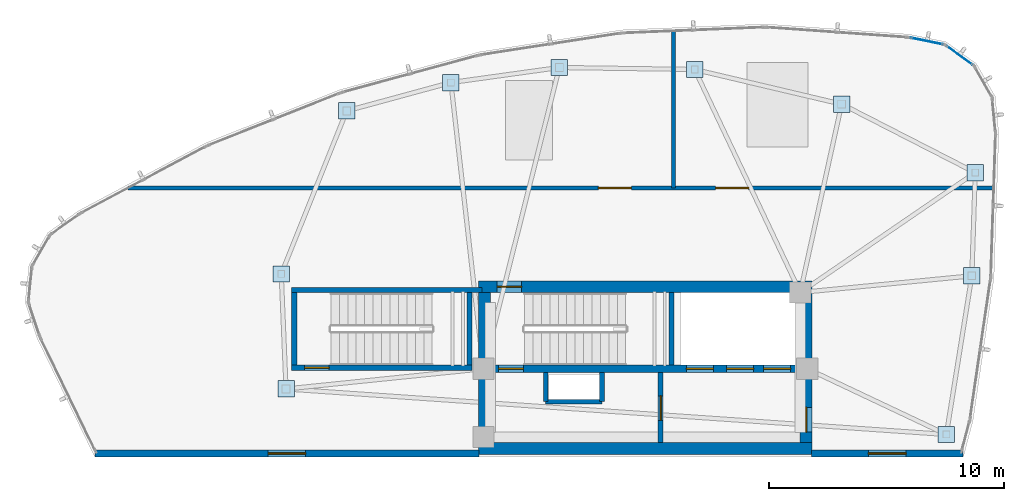
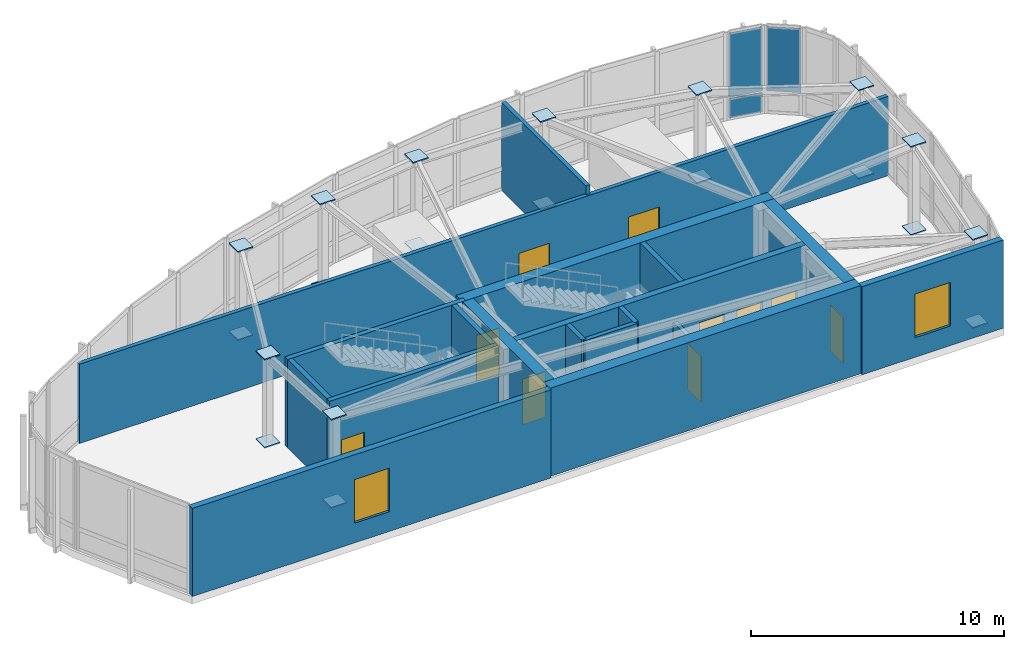
# One storey, part 6 of 10: 23 plates, 18 walls, 10 doors, 2 windows, 12 openings, 2 elements without a shape of their own.
"""IFC4 building model written with IfcOpenShell, lengths in metres."""

from ifc_helpers import new_model, si_unit, direction, frame, frame_2d, origin, origin_2d, place, context, subcontext, project, spatial, rectangle, extrude, source, transform, mapped, material, layer, layer_set, type_object, type_shapes, element, fill, aggregate, save


model = new_model("IFC4")

# Units and contexts
model_context = context("Model", 3, precision=1e-05, world=origin(), true_north=direction((0.0, 1.0)))
body_context = subcontext(model_context, "Body", "Model", "MODEL_VIEW")
ifc_project = project(units=[si_unit("LENGTHUNIT", "METRE"), si_unit("AREAUNIT", "SQUARE_METRE"), si_unit("VOLUMEUNIT", "CUBIC_METRE"), si_unit("PLANEANGLEUNIT", "RADIAN"), si_unit("MASSUNIT", "GRAM", prefix="KILO")], contexts=[model_context])

# Site, building, storey
site_placement = place(None, origin())
site = spatial("IfcSite", under=ifc_project, at=site_placement, CompositionType="ELEMENT")
building_placement = place(site_placement, origin())
building = spatial("IfcBuilding", under=site, at=building_placement, Name="Tavelor Broadcast Tower", CompositionType="ELEMENT")
storey_placement = place(building_placement, frame((0.0, 0.0, 355.10009765625)))
storey = spatial("IfcBuildingStorey", under=building, at=storey_placement, Name="L84", CompositionType="ELEMENT", Elevation=355.10009765625)

# Plates
ifc_material_1 = material(Name="Steel S460", Category="steel")
ifc_layer_1 = layer(ifc_material_1, 0.050048828125)
ifc_layer_set_1 = layer_set([ifc_layer_1], Name="Steel S460")
plate_type_1 = type_object("IfcPlateType", Name="Tube Hollow-End Cap Plate KN05 700x700x50", PredefinedType="USERDEFINED", material=ifc_layer_set_1)
shared_shape_1 = source(origin(), body_context, "Body", "SweptSolid", [
    extrude(rectangle(XDim=0.699951171875, YDim=0.699951171875, at=origin_2d()), origin(), (0.0, 0.0, 1.0), 0.054931640625),
])
type_shapes(plate_type_1, [shared_shape_1])
for number, where, z_axis, x_axis, name in (
    (1, (37.27294921875, 58.9375, -0.02734375), (0.0, 0.0, 1.0), (1.0, 0.0, 0.0), "L84 Hollow End Cap Plate KN05 #2543"),
    (2, (37.27294921875, 58.9375, 4.22265625), (0.0, 0.0, 1.0), (1.0, 0.0, 0.0), "L84 Hollow End Cap Plate KN05 #2544"),
    (3, (34.4853515625, 51.989013671875, -0.02734375), (0.0, 0.0, 1.0), (1.0, 0.0, 0.0), "L84 Hollow End Cap Plate KN05 #2545"),
    (4, (34.4853515625, 51.989013671875, 4.22265625), (0.0, 0.0, 1.0), (1.0, 0.0, 0.0), "L84 Hollow End Cap Plate KN05 #2546"),
    (5, (34.690673828125, 47.090087890625, -0.02734375), (0.0, 0.0, 1.0), (1.0, 0.0, 0.0), "L84 Hollow End Cap Plate KN05 #2547"),
    (6, (34.690673828125, 47.090087890625, 4.22265625), (0.0, 0.0, 1.0), (1.0, 0.0, 0.0), "L84 Hollow End Cap Plate KN05 #2548"),
    (7, (62.826416015625, 45.14990234375, -0.02734375), (0.0, 0.0, 1.0), (1.0, 0.0, 0.0), "L84 Hollow End Cap Plate KN05 #2549"),
    (8, (62.826416015625, 45.14990234375, 4.22265625), (0.0, 0.0, 1.0), (1.0, 0.0, 0.0), "L84 Hollow End Cap Plate KN05 #2550"),
    (9, (63.910888671875, 51.91064453125, -0.02734375), (0.0, 0.0, 1.0), (1.0, 0.0, 0.0), "L84 Hollow End Cap Plate KN05 #2551"),
    (10, (63.910888671875, 51.91064453125, 4.22265625), (0.0, 0.0, 1.0), (1.0, 0.0, 0.0), "L84 Hollow End Cap Plate KN05 #2552"),
    (11, (64.058349609375, 56.30859375, -0.02734375), (0.0, 0.0, 1.0), (1.0, 0.0, 0.0), "L84 Hollow End Cap Plate KN05 #2553"),
    (12, (64.058349609375, 56.30859375, 4.22265625), (0.0, 0.0, 1.0), (1.0, 0.0, 0.0), "L84 Hollow End Cap Plate KN05 #2554"),
    (13, (58.364013671875, 59.226318359375, -0.02734375), (0.0, 0.0, 1.0), (1.0, 0.0, 0.0), "L84 Hollow End Cap Plate KN05 #2555"),
    (14, (58.364013671875, 59.226318359375, 4.22265625), (0.0, 0.0, 1.0), (1.0, 0.0, 0.0), "L84 Hollow End Cap Plate KN05 #2556"),
    (15, (52.10400390625, 60.701416015625, -0.02734375), (0.0, 0.0, 1.0), (1.0, 0.0, 0.0), "L84 Hollow End Cap Plate KN05 #2557"),
    (16, (52.10400390625, 60.701416015625, 4.22265625), (0.0, 0.0, 1.0), (1.0, 0.0, 0.0), "L84 Hollow End Cap Plate KN05 #2558"),
    (17, (46.337158203125, 60.786865234375, -0.02734375), (0.0, 0.0, 1.0), (1.0, 0.0, 0.0), "L84 Hollow End Cap Plate KN05 #2559"),
    (18, (46.337158203125, 60.786865234375, 4.22265625), (0.0, 0.0, 1.0), (1.0, 0.0, 0.0), "L84 Hollow End Cap Plate KN05 #2560"),
    (19, (41.715087890625, 60.145751953125, -0.02734375), (0.0, 0.0, 1.0), (1.0, 0.0, 0.0), "L84 Hollow End Cap Plate KN05 #2561"),
    (20, (41.715087890625, 60.145751953125, 4.22265625), (0.0, 0.0, 1.0), (1.0, 0.0, 0.0), "L84 Hollow End Cap Plate KN05 #2562"),
):
    element("IfcPlate", number, at=place(storey_placement, frame(where, z_axis=z_axis, x_axis=x_axis)), inside=storey, type_object=plate_type_1, Name=name, ObjectType="CAP PLATE", PredefinedType="USERDEFINED", context=body_context, shape_type="MappedRepresentation", body=[
        mapped(shared_shape_1, transform((0.0, 0.0, 0.0), scale=1.0)),
    ])

# Curtain wall, plates
ifc_material_2 = material(Name="Architectural Anodized Aluminium", Category="aluminium")
ifc_layer_2 = layer(ifc_material_2, 0.2099609375)
ifc_layer_set_2 = layer_set([ifc_layer_2], Name="Architectural Anodized Aluminium")
curtain_wall_type = type_object("IfcCurtainWallType", Name="Split-Crown Beacon Curtain Wall CW06", PredefinedType="NOTDEFINED", material=ifc_layer_set_2)
curtain_wall_1_placement = place(storey_placement, origin())
curtain_wall_1 = element("IfcCurtainWall", 21, at=curtain_wall_1_placement, inside=storey, type_object=curtain_wall_type, Name="L84 Curtain Wall CW06 Run 995", PredefinedType="NOTDEFINED")
ifc_material_3 = material(Name="Dichroic Solar Laminated Glazing 34 mm", Category="glass")
ifc_layer_3 = layer(ifc_material_3, 0.033935546875)
ifc_layer_set_3 = layer_set([ifc_layer_3], Name="Dichroic Solar Laminated Glazing 34 mm")
plate_type_2 = type_object("IfcPlateType", Name="CW06 Insulated Vision Glazing Panel 34 mm", PredefinedType="CURTAIN_PANEL", material=ifc_layer_set_3)
shared_shape_2 = source(origin(), body_context, "Body", "SweptSolid", [
    extrude(rectangle(XDim=1.38720703125, YDim=0.033935546875, at=origin_2d()), origin(), (0.0, 0.0, 1.0), 0.94189453125),
])
plate_1_placement = place(storey_placement, frame((61.99365234375, 61.91162109375, 0.072021484375), z_axis=(0.0, 0.0, 1.0), x_axis=(-0.979758332463, 0.200183940339, 0.0)))
plate_1 = element("IfcPlate", 22, at=plate_1_placement, type_object=plate_type_2, Name="CW06 panel 1.1", PredefinedType="CURTAIN_PANEL", context=body_context, shape_type="MappedRepresentation", body=[
    mapped(shared_shape_2, transform((0.0, 0.0, 0.0), scale=1.0)),
])
shared_shape_3 = source(origin(), body_context, "Body", "SweptSolid", [
    extrude(rectangle(XDim=1.38720703125, YDim=0.033935546875, at=origin_2d()), origin(), (0.0, 0.0, 1.0), 3.092041015625),
])
plate_2_placement = place(storey_placement, frame((61.99365234375, 61.91162109375, 1.0859375), z_axis=(0.0, 0.0, 1.0), x_axis=(-0.979758332463, 0.200183940339, 0.0)))
plate_2 = element("IfcPlate", 23, at=plate_2_placement, type_object=plate_type_2, Name="CW06 panel 1.2", PredefinedType="CURTAIN_PANEL", context=body_context, shape_type="MappedRepresentation", body=[
    mapped(shared_shape_3, transform((0.0, 0.0, 0.0), scale=1.0)),
])
aggregate(curtain_wall_1, [plate_1, plate_2])

# Curtain wall, plate
curtain_wall_2_placement = place(storey_placement, origin())
curtain_wall_2 = element("IfcCurtainWall", 24, at=curtain_wall_2_placement, inside=storey, type_object=curtain_wall_type, Name="L84 Curtain Wall CW06 Run 994", PredefinedType="NOTDEFINED")
shared_shape_4 = source(origin(), body_context, "Body", "SweptSolid", [
    extrude(rectangle(XDim=1.3662109375, YDim=0.033935546875, at=origin_2d()), origin(), (0.0, 0.0, 1.0), 3.092041015625),
])
type_shapes(plate_type_2, [shared_shape_2, shared_shape_3, shared_shape_4])
plate_3_placement = place(storey_placement, frame((63.382568359375, 61.30419921875, 1.0859375), z_axis=(0.0, 0.0, 1.0), x_axis=(-0.810544761221, 0.585676694138, 0.0)))
plate_3 = element("IfcPlate", 25, at=plate_3_placement, type_object=plate_type_2, Name="CW06 panel 1.2", PredefinedType="CURTAIN_PANEL", context=body_context, shape_type="MappedRepresentation", body=[
    mapped(shared_shape_4, transform((0.0, 0.0, 0.0), scale=1.0)),
])
aggregate(curtain_wall_2, [plate_3])

# Wall, opening, door
ifc_material_4 = material(Name="Concrete C50/60", Category="concrete")
ifc_layer_4 = layer(ifc_material_4, 0.5)
ifc_layer_set_4 = layer_set([ifc_layer_4], Name="Concrete C50/60")
wall_type_1 = type_object("IfcWallType", Name="Core Shear Wall 500 mm", PredefinedType="SHEAR", material=ifc_layer_set_4)
wall_1_placement = place(storey_placement, frame((42.89990234375, 51.449951171875, 0.0), z_axis=(0.0, 0.0, 1.0), x_axis=(1.0, 0.0, 0.0)))
wall_1 = element("IfcWall", 26, at=wall_1_placement, inside=storey, type_object=wall_type_1, Name="L84 Central Core Shear Wall N", PredefinedType="SHEAR", context=body_context, shape_type="SweptSolid", body=[
    extrude(rectangle(XDim=14.2001953125, YDim=0.5, at=frame_2d((7.10009765625, 0.0))), origin(), (0.0, 0.0, 1.0), 4.25),
])
opening_1_placement = place(wall_1_placement, frame((0.780029296875, 0.0, 0.0)))
opening_1 = element("IfcOpeningElement", 27, at=opening_1_placement, cuts=wall_1, Name="Opening DR11", PredefinedType="OPENING", context=body_context, shape_type="SweptSolid", body=[
    extrude(rectangle(XDim=1.050048828125, YDim=2.199951171875, at=frame_2d((0.52490234375, 1.10009765625))), frame((0.0, 0.260009765625, 0.0), z_axis=(0.0, -1.0, 0.0), x_axis=(1.0, 0.0, 0.0)), (0.0, 0.0, 1.0), 0.52001953125),
])
ifc_material_5 = material(Name="Steel S355", Category="steel")
door_type_1 = type_object("IfcDoorType", Name="Stair Core Fire Escape Door 1050x2200", OperationType="NOTDEFINED", PredefinedType="DOOR", material=ifc_material_5)
door_1_placement = place(opening_1_placement, origin())
door_1 = element("IfcDoor", 28, at=door_1_placement, inside=storey, type_object=door_type_1, Name="L84 Stair ST1 Protected Exit Door", OperationType="SINGLE_SWING_LEFT", OverallHeight=2.199951171875, OverallWidth=1.050048828125, PredefinedType="DOOR", context=body_context, shape_type="SweptSolid", body=[
    extrude(rectangle(XDim=1.050048828125, YDim=2.199951171875, at=frame_2d((0.52490234375, 1.10009765625))), frame((0.0, 0.02490234375, 0.0), z_axis=(0.0, -1.0, 0.0), x_axis=(1.0, 0.0, 0.0)), (0.0, 0.0, 1.0), 0.050048828125),
])
fill(opening_1, door_1)

# Walls
wall_2_placement = place(storey_placement, frame((42.89990234375, 44.550048828125, 0.0), z_axis=(0.0, 0.0, 1.0), x_axis=(1.0, 0.0, 0.0)))
element("IfcWall", 29, at=wall_2_placement, inside=storey, type_object=wall_type_1, Name="L84 Central Core Shear Wall S", PredefinedType="SHEAR", context=body_context, shape_type="SweptSolid", body=[
    extrude(rectangle(XDim=14.2001953125, YDim=0.5, at=frame_2d((7.10009765625, 0.0))), origin(), (0.0, 0.0, 1.0), 4.25),
])
wall_3_placement = place(storey_placement, frame((43.14990234375, 44.800048828125, 0.0), z_axis=(0.0, 0.0, 1.0), x_axis=(0.0, 1.0, 0.0)))
element("IfcWall", 30, at=wall_3_placement, inside=storey, type_object=wall_type_1, Name="L84 Central Core Shear Wall W", PredefinedType="SHEAR", context=body_context, shape_type="SweptSolid", body=[
    extrude(rectangle(XDim=6.39990234375, YDim=0.5, at=frame_2d((3.199951171875, 0.0))), origin(), (0.0, 0.0, 1.0), 4.25),
])

# Wall, opening, door
wall_4_placement = place(storey_placement, frame((56.85009765625, 44.800048828125, 0.0), z_axis=(0.0, 0.0, 1.0), x_axis=(0.0, 1.0, 0.0)))
wall_4 = element("IfcWall", 31, at=wall_4_placement, inside=storey, type_object=wall_type_1, Name="L84 Central Core Shear Wall E", PredefinedType="SHEAR", context=body_context, shape_type="SweptSolid", body=[
    extrude(rectangle(XDim=6.39990234375, YDim=0.5, at=frame_2d((3.199951171875, 0.0))), origin(), (0.0, 0.0, 1.0), 4.25),
])
opening_2_placement = place(wall_4_placement, frame((0.449951171875, 0.0, 0.0)))
opening_2 = element("IfcOpeningElement", 32, at=opening_2_placement, cuts=wall_4, Name="Opening DR11", PredefinedType="OPENING", context=body_context, shape_type="SweptSolid", body=[
    extrude(rectangle(XDim=1.050048828125, YDim=2.199951171875, at=frame_2d((0.52490234375, 1.10009765625))), frame((0.0, 0.260009765625, 0.0), z_axis=(0.0, -1.0, 0.0), x_axis=(1.0, 0.0, 0.0)), (0.0, 0.0, 1.0), 0.52001953125),
])
door_2_placement = place(opening_2_placement, origin())
door_2 = element("IfcDoor", 33, at=door_2_placement, inside=storey, type_object=door_type_1, Name="L84 Crown Core East Lobby Door", OperationType="SINGLE_SWING_LEFT", OverallHeight=2.199951171875, OverallWidth=1.050048828125, PredefinedType="DOOR", context=body_context, shape_type="SweptSolid", body=[
    extrude(rectangle(XDim=1.050048828125, YDim=2.199951171875, at=frame_2d((0.52490234375, 1.10009765625))), frame((0.0, 0.02490234375, 0.0), z_axis=(0.0, -1.0, 0.0), x_axis=(1.0, 0.0, 0.0)), (0.0, 0.0, 1.0), 0.050048828125),
])
fill(opening_2, door_2)

# Wall, openings, doors
ifc_layer_5 = layer(ifc_material_4, 0.300048828125)
ifc_layer_set_5 = layer_set([ifc_layer_5], Name="Concrete C50/60")
wall_type_2 = type_object("IfcWallType", Name="Core Spine Shear Wall 300 mm C50", PredefinedType="SHEAR", material=ifc_layer_set_5)
wall_5_placement = place(storey_placement, frame((43.39990234375, 47.949951171875, 0.0), z_axis=(0.0, 0.0, 1.0), x_axis=(1.0, 0.0, 0.0)))
wall_5 = element("IfcWall", 34, at=wall_5_placement, inside=storey, type_object=wall_type_2, Name="L84 Central Core Shear Wall SP1", PredefinedType="SHEAR", context=body_context, shape_type="SweptSolid", body=[
    extrude(rectangle(XDim=13.2001953125, YDim=0.300048828125, at=frame_2d((6.60009765625, 0.0))), origin(), (0.0, 0.0, 1.0), 4.25),
])
opening_3_placement = place(wall_5_placement, frame((0.35009765625, 0.0, 0.0)))
opening_3 = element("IfcOpeningElement", 35, at=opening_3_placement, cuts=wall_5, Name="Opening DR11", PredefinedType="OPENING", context=body_context, shape_type="SweptSolid", body=[
    extrude(rectangle(XDim=1.050048828125, YDim=2.199951171875, at=frame_2d((0.52490234375, 1.10009765625))), frame((0.0, 0.16015625, 0.0), z_axis=(0.0, -1.0, 0.0), x_axis=(1.0, 0.0, 0.0)), (0.0, 0.0, 1.0), 0.320068359375),
])
opening_4_placement = place(wall_5_placement, frame((8.344970703125, 0.0, 0.0)))
opening_4 = element("IfcOpeningElement", 36, at=opening_4_placement, cuts=wall_5, Name="Opening LD02", PredefinedType="OPENING", context=body_context, shape_type="SweptSolid", body=[
    extrude(rectangle(XDim=1.14990234375, YDim=2.199951171875, at=frame_2d((0.574951171875, 1.10009765625))), frame((0.0, 0.16015625, 0.0), z_axis=(0.0, -1.0, 0.0), x_axis=(1.0, 0.0, 0.0)), (0.0, 0.0, 1.0), 0.320068359375),
])
opening_5_placement = place(wall_5_placement, frame((10.06494140625, 0.0, 0.0)))
opening_5 = element("IfcOpeningElement", 37, at=opening_5_placement, cuts=wall_5, Name="Opening LD02", PredefinedType="OPENING", context=body_context, shape_type="SweptSolid", body=[
    extrude(rectangle(XDim=1.14990234375, YDim=2.199951171875, at=frame_2d((0.574951171875, 1.10009765625))), frame((0.0, 0.16015625, 0.0), z_axis=(0.0, -1.0, 0.0), x_axis=(1.0, 0.0, 0.0)), (0.0, 0.0, 1.0), 0.320068359375),
])
opening_6_placement = place(wall_5_placement, frame((11.64501953125, 0.0, 0.0)))
opening_6 = element("IfcOpeningElement", 38, at=opening_6_placement, cuts=wall_5, Name="Opening LD03", PredefinedType="OPENING", context=body_context, shape_type="SweptSolid", body=[
    extrude(rectangle(XDim=1.14990234375, YDim=2.199951171875, at=frame_2d((0.574951171875, 1.10009765625))), frame((0.0, 0.16015625, 0.0), z_axis=(0.0, -1.0, 0.0), x_axis=(1.0, 0.0, 0.0)), (0.0, 0.0, 1.0), 0.320068359375),
])
ifc_material_6 = material(Name="Reinforced Brushed Stainless Steel", Category="concrete")
door_type_2 = type_object("IfcDoorType", Name="Broadcast Goods Lift Sliding Landing Door 1250x2200", OperationType="NOTDEFINED", PredefinedType="DOOR", material=ifc_material_6)
door_3_placement = place(opening_6_placement, origin())
door_3 = element("IfcDoor", 39, at=door_3_placement, inside=storey, type_object=door_type_2, Name="L84 Lift SVL1 Sliding Landing Door", OperationType="SLIDING_TO_LEFT", OverallHeight=2.199951171875, OverallWidth=1.14990234375, PredefinedType="DOOR", context=body_context, shape_type="SweptSolid", body=[
    extrude(rectangle(XDim=1.14990234375, YDim=2.199951171875, at=frame_2d((0.574951171875, 1.10009765625))), frame((0.0, 0.02490234375, 0.0), z_axis=(0.0, -1.0, 0.0), x_axis=(1.0, 0.0, 0.0)), (0.0, 0.0, 1.0), 0.050048828125),
])
fill(opening_6, door_3)
ifc_material_7 = material(Name="Fire-Rated Stainless Steel", Category="steel")
door_type_3 = type_object("IfcDoorType", Name="Firefighting Lift Sliding Landing Door 1200x2200", OperationType="NOTDEFINED", PredefinedType="DOOR", material=ifc_material_7)
door_4_placement = place(opening_4_placement, origin())
door_4 = element("IfcDoor", 40, at=door_4_placement, inside=storey, type_object=door_type_3, Name="L84 Lift FFL1 Sliding Landing Door", OperationType="SLIDING_TO_LEFT", OverallHeight=2.199951171875, OverallWidth=1.14990234375, PredefinedType="DOOR", context=body_context, shape_type="SweptSolid", body=[
    extrude(rectangle(XDim=1.14990234375, YDim=2.199951171875, at=frame_2d((0.574951171875, 1.10009765625))), frame((0.0, 0.02490234375, 0.0), z_axis=(0.0, -1.0, 0.0), x_axis=(1.0, 0.0, 0.0)), (0.0, 0.0, 1.0), 0.050048828125),
])
fill(opening_4, door_4)
door_5_placement = place(opening_5_placement, origin())
door_5 = element("IfcDoor", 41, at=door_5_placement, inside=storey, type_object=door_type_3, Name="L84 Lift FFL2 Sliding Landing Door", OperationType="SLIDING_TO_LEFT", OverallHeight=2.199951171875, OverallWidth=1.14990234375, PredefinedType="DOOR", context=body_context, shape_type="SweptSolid", body=[
    extrude(rectangle(XDim=1.14990234375, YDim=2.199951171875, at=frame_2d((0.574951171875, 1.10009765625))), frame((0.0, 0.02490234375, 0.0), z_axis=(0.0, -1.0, 0.0), x_axis=(1.0, 0.0, 0.0)), (0.0, 0.0, 1.0), 0.050048828125),
])
fill(opening_5, door_5)
door_6_placement = place(opening_3_placement, origin())
door_6 = element("IfcDoor", 42, at=door_6_placement, inside=storey, type_object=door_type_1, Name="L84 Crown Core Stair ST1 Door", OperationType="SINGLE_SWING_LEFT", OverallHeight=2.199951171875, OverallWidth=1.050048828125, PredefinedType="DOOR", context=body_context, shape_type="SweptSolid", body=[
    extrude(rectangle(XDim=1.050048828125, YDim=2.199951171875, at=frame_2d((0.52490234375, 1.10009765625))), frame((0.0, 0.02490234375, 0.0), z_axis=(0.0, -1.0, 0.0), x_axis=(1.0, 0.0, 0.0)), (0.0, 0.0, 1.0), 0.050048828125),
])
fill(opening_3, door_6)

# Wall
ifc_material_8 = material(Name="Calcium Silicate Fire Board 180 mm", Category="gypsum")
ifc_layer_6 = layer(ifc_material_8, 0.179931640625)
ifc_layer_set_6 = layer_set([ifc_layer_6], Name="Calcium Silicate Fire Board 180 mm")
wall_type_3 = type_object("IfcWallType", Name="Fire-Rated Corridor Partition Wall 180 mm", PredefinedType="PARTITIONING", material=ifc_layer_set_6)
wall_6_placement = place(storey_placement, frame((51.199951171875, 55.64990234375, 0.0), z_axis=(0.0, 0.0, 1.0), x_axis=(0.0, 1.0, 0.0)))
element("IfcWall", 43, at=wall_6_placement, inside=storey, type_object=wall_type_3, Name="L84 Crown Peak A Plant Divider", PredefinedType="PARTITIONING", context=body_context, shape_type="SweptSolid", body=[
    extrude(rectangle(XDim=6.693115234375, YDim=0.179931640625, at=frame_2d((3.3466796875, 0.0))), origin(), (0.0, 0.0, 1.0), 4.25),
])

# Wall, openings, doors
wall_7_placement = place(storey_placement, frame((27.95263671875, 55.64990234375, 0.0), z_axis=(0.0, 0.0, 1.0), x_axis=(1.0, 0.0, 0.0)))
wall_7 = element("IfcWall", 44, at=wall_7_placement, inside=storey, type_object=wall_type_3, Name="L84 Peak A Plant Corridor Wall", PredefinedType="PARTITIONING", context=body_context, shape_type="SweptSolid", body=[
    extrude(rectangle(XDim=36.89404296875, YDim=0.179931640625, at=frame_2d((18.447021484375, 0.0))), origin(), (0.0, 0.0, 1.0), 3.824951171875),
])
opening_7_placement = place(wall_7_placement, frame((20.04736328125, 0.0, 0.0)))
opening_7 = element("IfcOpeningElement", 45, at=opening_7_placement, cuts=wall_7, Name="Opening DR41", PredefinedType="OPENING", context=body_context, shape_type="SweptSolid", body=[
    extrude(rectangle(XDim=1.39990234375, YDim=2.14990234375, at=frame_2d((0.699951171875, 1.074951171875))), frame((0.0, 0.10009765625, 0.0), z_axis=(0.0, -1.0, 0.0), x_axis=(1.0, 0.0, 0.0)), (0.0, 0.0, 1.0), 0.199951171875),
])
opening_8_placement = place(wall_7_placement, frame((25.04736328125, 0.0, 0.0)))
opening_8 = element("IfcOpeningElement", 46, at=opening_8_placement, cuts=wall_7, Name="Opening DR41", PredefinedType="OPENING", context=body_context, shape_type="SweptSolid", body=[
    extrude(rectangle(XDim=1.39990234375, YDim=2.14990234375, at=frame_2d((0.699951171875, 1.074951171875))), frame((0.0, 0.10009765625, 0.0), z_axis=(0.0, -1.0, 0.0), x_axis=(1.0, 0.0, 0.0)), (0.0, 0.0, 1.0), 0.199951171875),
])
door_type_4 = type_object("IfcDoorType", Name="Plant Room Double Fire Door 1400x2150", OperationType="NOTDEFINED", PredefinedType="DOOR", material=ifc_material_5)
door_7_placement = place(opening_7_placement, origin())
door_7 = element("IfcDoor", 47, at=door_7_placement, inside=storey, type_object=door_type_4, Name="L84 Broadcast Chiller Plant Door", OperationType="SINGLE_SWING_LEFT", OverallHeight=2.14990234375, OverallWidth=1.39990234375, PredefinedType="DOOR", context=body_context, shape_type="SweptSolid", body=[
    extrude(rectangle(XDim=1.39990234375, YDim=2.14990234375, at=frame_2d((0.699951171875, 1.074951171875))), frame((0.0, 0.02490234375, 0.0), z_axis=(0.0, -1.0, 0.0), x_axis=(1.0, 0.0, 0.0)), (0.0, 0.0, 1.0), 0.050048828125),
])
fill(opening_7, door_7)
door_8_placement = place(opening_8_placement, origin())
door_8 = element("IfcDoor", 48, at=door_8_placement, inside=storey, type_object=door_type_4, Name="L84 Emergency Switchgear and AHU Plant Door", OperationType="SINGLE_SWING_RIGHT", OverallHeight=2.14990234375, OverallWidth=1.39990234375, PredefinedType="DOOR", context=body_context, shape_type="SweptSolid", body=[
    extrude(rectangle(XDim=1.39990234375, YDim=2.14990234375, at=frame_2d((0.699951171875, 1.074951171875))), frame((0.0, 0.02490234375, 0.0), z_axis=(0.0, -1.0, 0.0), x_axis=(1.0, 0.0, 0.0)), (0.0, 0.0, 1.0), 0.050048828125),
])
fill(opening_8, door_8)

# Wall, opening, window
ifc_material_9 = material(Name="Precast Concrete C40/50", Category="concrete")
ifc_layer_7 = layer(ifc_material_9, 0.280029296875)
ifc_layer_set_7 = layer_set([ifc_layer_7], Name="Precast Concrete C40/50")
wall_type_4 = type_object("IfcWallType", Name="Insulated Precast Terracotta Facade Wall 280 mm", PredefinedType="STANDARD", material=ifc_layer_set_7)
wall_8_placement = place(storey_placement, frame((26.544921875, 44.340087890625, 0.0), z_axis=(0.0, 0.0, 1.0), x_axis=(1.0, 0.0, 0.0)))
wall_8 = element("IfcWall", 49, at=wall_8_placement, inside=storey, type_object=wall_type_4, Name="L84 Crown Peak A Sky-Slot Wall 01.1", PredefinedType="STANDARD", context=body_context, shape_type="SweptSolid", body=[
    extrude(rectangle(XDim=16.364990234375, YDim=0.280029296875, at=frame_2d((8.1826171875, 0.0))), origin(), (0.0, 0.0, 1.0), 4.25),
])
opening_9_placement = place(wall_8_placement, frame((7.382568359375, 0.0, 0.949951171875)))
opening_9 = element("IfcOpeningElement", 50, at=opening_9_placement, cuts=wall_8, Name="Opening WN29", PredefinedType="OPENING", context=body_context, shape_type="SweptSolid", body=[
    extrude(rectangle(XDim=1.60009765625, YDim=2.10009765625, at=frame_2d((0.800048828125, 1.050048828125))), frame((0.0, 0.14990234375, 0.0), z_axis=(0.0, -1.0, 0.0), x_axis=(1.0, 0.0, 0.0)), (0.0, 0.0, 1.0), 0.300048828125),
])
ifc_material_10 = material(Name="Acoustic Double Glazing 28 mm", Category="glass")
window_type = type_object("IfcWindowType", Name="Crown Beacon Observation Window 1600x2100", PartitioningType="SINGLE_PANEL", PredefinedType="WINDOW", material=ifc_material_10)
window_1_placement = place(opening_9_placement, origin())
window_1 = element("IfcWindow", 51, at=window_1_placement, inside=storey, type_object=window_type, Name="L84 Crown Sky-Slot Observation Window A01.1", OverallHeight=2.10009765625, OverallWidth=1.60009765625, PartitioningType="SINGLE_PANEL", PredefinedType="WINDOW", context=body_context, shape_type="SweptSolid", body=[
    extrude(rectangle(XDim=1.60009765625, YDim=2.10009765625, at=frame_2d((0.800048828125, 1.050048828125))), frame((0.0, 0.030029296875, 0.0), z_axis=(0.0, -1.0, 0.0), x_axis=(1.0, 0.0, 0.0)), (0.0, 0.0, 1.0), 0.06005859375),
])
fill(opening_9, window_1)

wall_9_placement = place(storey_placement, frame((57.090087890625, 44.340087890625, 0.0), z_axis=(0.0, 0.0, 1.0), x_axis=(1.0, 0.0, 0.0)))
wall_9 = element("IfcWall", 52, at=wall_9_placement, inside=storey, type_object=wall_type_4, Name="L84 Crown Peak A Sky-Slot Wall 01.2", PredefinedType="STANDARD", context=body_context, shape_type="SweptSolid", body=[
    extrude(rectangle(XDim=6.434326171875, YDim=0.280029296875, at=frame_2d((3.21728515625, 0.0))), origin(), (0.0, 0.0, 1.0), 4.25),
])
opening_10_placement = place(wall_9_placement, frame((2.417236328125, 0.0, 0.949951171875)))
opening_10 = element("IfcOpeningElement", 53, at=opening_10_placement, cuts=wall_9, Name="Opening WN29", PredefinedType="OPENING", context=body_context, shape_type="SweptSolid", body=[
    extrude(rectangle(XDim=1.60009765625, YDim=2.10009765625, at=frame_2d((0.800048828125, 1.050048828125))), frame((0.0, 0.14990234375, 0.0), z_axis=(0.0, -1.0, 0.0), x_axis=(1.0, 0.0, 0.0)), (0.0, 0.0, 1.0), 0.300048828125),
])
window_2_placement = place(opening_10_placement, origin())
window_2 = element("IfcWindow", 54, at=window_2_placement, inside=storey, type_object=window_type, Name="L84 Crown Sky-Slot Observation Window A01.2", OverallHeight=2.10009765625, OverallWidth=1.60009765625, PartitioningType="SINGLE_PANEL", PredefinedType="WINDOW", context=body_context, shape_type="SweptSolid", body=[
    extrude(rectangle(XDim=1.60009765625, YDim=2.10009765625, at=frame_2d((0.800048828125, 1.050048828125))), frame((0.0, 0.030029296875, 0.0), z_axis=(0.0, -1.0, 0.0), x_axis=(1.0, 0.0, 0.0)), (0.0, 0.0, 1.0), 0.06005859375),
])
fill(opening_10, window_2)

# Walls
ifc_material_11 = material(Name="Concrete Blockwork 200 mm", Category="masonry")
ifc_layer_8 = layer(ifc_material_11, 0.199951171875)
ifc_layer_set_8 = layer_set([ifc_layer_8], Name="Concrete Blockwork 200 mm")
wall_type_5 = type_object("IfcWallType", Name="Lift and Riser Shaft Enclosure Wall 200 mm", PredefinedType="PARTITIONING", material=ifc_layer_set_8)
wall_10_placement = place(storey_placement, frame((45.75, 46.550048828125, 0.0), z_axis=(0.0, 0.0, 1.0), x_axis=(1.0, 0.0, 0.0)))
element("IfcWall", 55, at=wall_10_placement, inside=storey, type_object=wall_type_5, Name="L84 Riser Shaft South Wall", PredefinedType="PARTITIONING", context=body_context, shape_type="SweptSolid", body=[
    extrude(rectangle(XDim=2.39990234375, YDim=0.199951171875, at=frame_2d((1.199951171875, 0.0))), origin(), (0.0, 0.0, 1.0), 4.25),
])
for number, where, z_axis, x_axis, name in (
    (56, (48.14990234375, 46.550048828125, 0.0), (0.0, 0.0, 1.0), (0.0, 1.0, 0.0), "L84 Riser Shaft East Wall"),
    (57, (45.75, 46.550048828125, 0.0), (0.0, 0.0, 1.0), (0.0, 1.0, 0.0), "L84 Riser Shaft West Wall"),
):
    element("IfcWall", number, at=place(storey_placement, frame(where, z_axis=z_axis, x_axis=x_axis)), inside=storey, type_object=wall_type_5, Name=name, PredefinedType="PARTITIONING", context=body_context, shape_type="SweptSolid", body=[
        extrude(rectangle(XDim=1.25, YDim=0.199951171875, at=frame_2d((0.625, 0.0))), origin(), (0.0, 0.0, 1.0), 4.25),
    ])

# Wall, opening, door
wall_11_placement = place(storey_placement, frame((50.64990234375, 44.800048828125, 0.0), z_axis=(0.0, 0.0, 1.0), x_axis=(0.0, 1.0, 0.0)))
wall_11 = element("IfcWall", 58, at=wall_11_placement, inside=storey, type_object=wall_type_5, Name="L84 Firefighting Lobby West Wall", PredefinedType="PARTITIONING", context=body_context, shape_type="SweptSolid", body=[
    extrude(rectangle(XDim=3.0, YDim=0.199951171875, at=frame_2d((1.5, 0.0))), origin(), (0.0, 0.0, 1.0), 2.625),
])
opening_11_placement = place(wall_11_placement, frame((0.949951171875, 0.0, 0.0)))
opening_11 = element("IfcOpeningElement", 59, at=opening_11_placement, cuts=wall_11, Name="Opening DR11", PredefinedType="OPENING", context=body_context, shape_type="SweptSolid", body=[
    extrude(rectangle(XDim=1.050048828125, YDim=2.199951171875, at=frame_2d((0.52490234375, 1.10009765625))), frame((0.0, 0.10986328125, 0.0), z_axis=(0.0, -1.0, 0.0), x_axis=(1.0, 0.0, 0.0)), (0.0, 0.0, 1.0), 0.219970703125),
])
door_9_placement = place(opening_11_placement, origin())
door_9 = element("IfcDoor", 60, at=door_9_placement, inside=storey, type_object=door_type_1, Name="L84 Firefighting Lobby Compartment Door", OperationType="SINGLE_SWING_LEFT", OverallHeight=2.199951171875, OverallWidth=1.050048828125, PredefinedType="DOOR", context=body_context, shape_type="SweptSolid", body=[
    extrude(rectangle(XDim=1.050048828125, YDim=2.199951171875, at=frame_2d((0.52490234375, 1.10009765625))), frame((0.0, 0.02490234375, 0.0), z_axis=(0.0, -1.0, 0.0), x_axis=(1.0, 0.0, 0.0)), (0.0, 0.0, 1.0), 0.050048828125),
])
fill(opening_11, door_9)

# Wall
ifc_material_12 = material(Name="Concrete C40/50", Category="concrete")
ifc_layer_9 = layer(ifc_material_12, 0.219970703125)
ifc_layer_set_9 = layer_set([ifc_layer_9], Name="Concrete C40/50")
wall_type_6 = type_object("IfcWallType", Name="Structural Stairwell Shear Wall 220 mm", PredefinedType="SHEAR", material=ifc_layer_set_9)
wall_12_placement = place(storey_placement, frame((51.110107421875, 48.10009765625, 0.0), z_axis=(0.0, 0.0, 1.0), x_axis=(0.0, 1.0, 0.0)))
element("IfcWall", 61, at=wall_12_placement, inside=storey, type_object=wall_type_6, Name="L84 Stair ST1 Structural Shaft Wall", PredefinedType="SHEAR", context=body_context, shape_type="SweptSolid", body=[
    extrude(rectangle(XDim=3.099853515625, YDim=0.219970703125, at=frame_2d((1.5498046875, 0.0))), origin(), (0.0, 0.0, 1.0), 4.25),
])

# Wall, opening, door
wall_13_placement = place(storey_placement, frame((34.929931640625, 47.989990234375, 0.0), z_axis=(0.0, 0.0, 1.0), x_axis=(1.0, 0.0, 0.0)))
wall_13 = element("IfcWall", 62, at=wall_13_placement, inside=storey, type_object=wall_type_6, Name="L84 Stair ST5 Structural Shaft Wall S", PredefinedType="SHEAR", context=body_context, shape_type="SweptSolid", body=[
    extrude(rectangle(XDim=7.690185546875, YDim=0.219970703125, at=frame_2d((3.84521484375, 0.0))), origin(), (0.0, 0.0, 1.0), 4.25),
])
opening_12_placement = place(wall_13_placement, frame((0.550048828125, 0.0, 0.0)))
opening_12 = element("IfcOpeningElement", 63, at=opening_12_placement, cuts=wall_13, Name="Opening DR11", PredefinedType="OPENING", context=body_context, shape_type="SweptSolid", body=[
    extrude(rectangle(XDim=1.050048828125, YDim=2.199951171875, at=frame_2d((0.52490234375, 1.10009765625))), frame((0.0, 0.1201171875, 0.0), z_axis=(0.0, -1.0, 0.0), x_axis=(1.0, 0.0, 0.0)), (0.0, 0.0, 1.0), 0.239990234375),
])
door_10_placement = place(opening_12_placement, origin())
door_10 = element("IfcDoor", 64, at=door_10_placement, inside=storey, type_object=door_type_1, Name="L84 Stair ST5 Protected Fire Door", OperationType="SINGLE_SWING_RIGHT", OverallHeight=2.199951171875, OverallWidth=1.050048828125, PredefinedType="DOOR", context=body_context, shape_type="SweptSolid", body=[
    extrude(rectangle(XDim=1.050048828125, YDim=2.199951171875, at=frame_2d((0.52490234375, 1.10009765625))), frame((0.0, 0.02490234375, 0.0), z_axis=(0.0, -1.0, 0.0), x_axis=(1.0, 0.0, 0.0)), (0.0, 0.0, 1.0), 0.050048828125),
])
fill(opening_12, door_10)

# Walls
wall_14_placement = place(storey_placement, frame((34.929931640625, 51.31005859375, 0.0), z_axis=(0.0, 0.0, 1.0), x_axis=(1.0, 0.0, 0.0)))
element("IfcWall", 65, at=wall_14_placement, inside=storey, type_object=wall_type_6, Name="L84 Stair ST5 Structural Shaft Wall N", PredefinedType="SHEAR", context=body_context, shape_type="SweptSolid", body=[
    extrude(rectangle(XDim=8.1201171875, YDim=0.219970703125, at=frame_2d((4.06005859375, 0.0))), origin(), (0.0, 0.0, 1.0), 4.25),
])
for number, where, z_axis, x_axis, name in (
    (66, (42.510009765625, 48.10009765625, 0.0), (0.0, 0.0, 1.0), (0.0, 1.0, 0.0), "L84 Stair ST5 Structural Shaft Wall E"),
    (67, (35.0400390625, 48.10009765625, 0.0), (0.0, 0.0, 1.0), (0.0, 1.0, 0.0), "L84 Stair ST5 Structural Shaft Wall W"),
):
    element("IfcWall", number, at=place(storey_placement, frame(where, z_axis=z_axis, x_axis=x_axis)), inside=storey, type_object=wall_type_6, Name=name, PredefinedType="SHEAR", context=body_context, shape_type="SweptSolid", body=[
        extrude(rectangle(XDim=3.099853515625, YDim=0.219970703125, at=frame_2d((1.5498046875, 0.0))), origin(), (0.0, 0.0, 1.0), 4.25),
    ])

save(model, "model.ifc")
